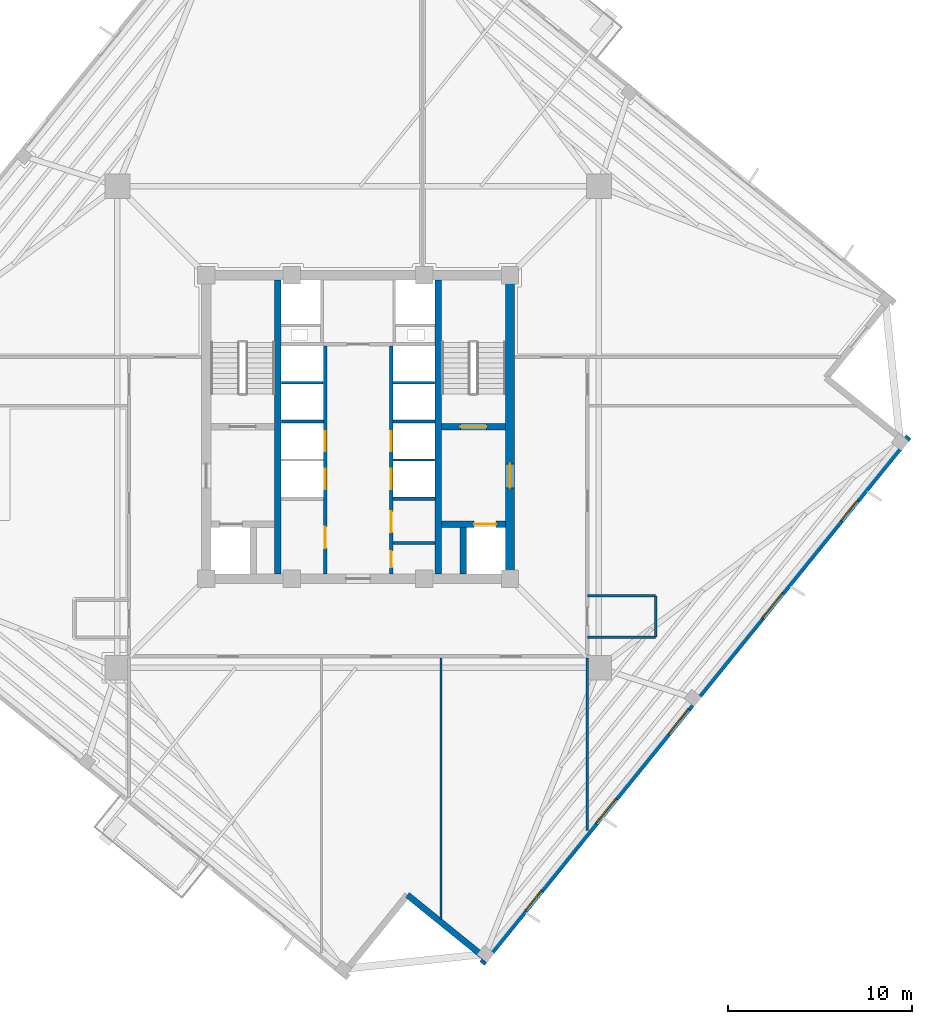
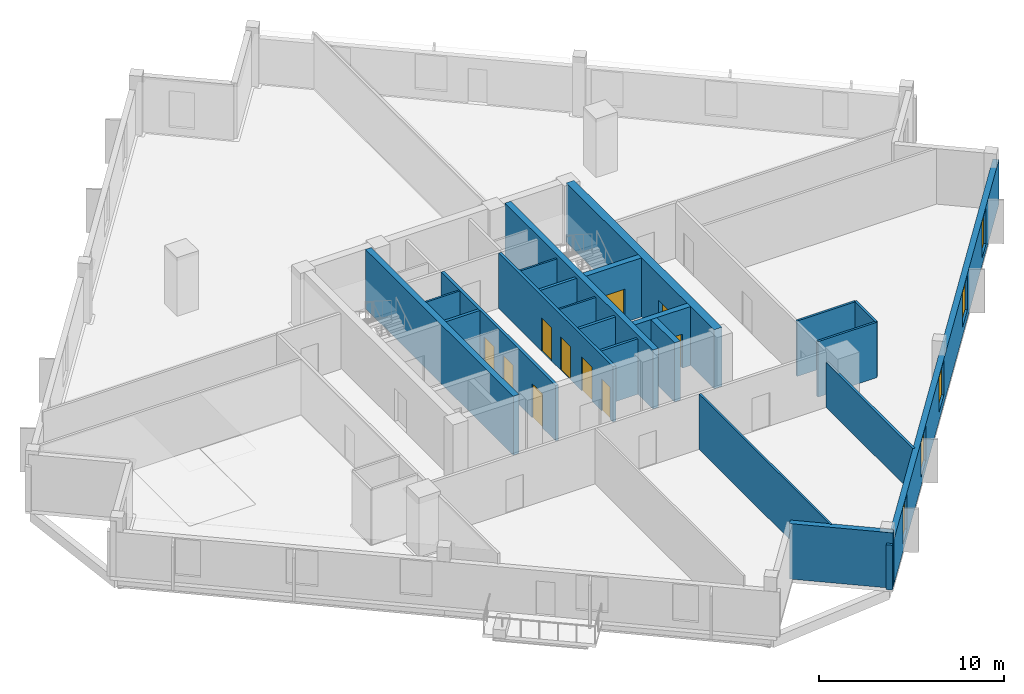
# One storey, part 4 of 10: 22 walls, 10 doors, 5 windows, 15 openings.
"""IFC4 building model written with IfcOpenShell, lengths in metres."""

import ifcopenshell
import ifcopenshell.guid

model = None  # the IFC model being written
_history = None  # IfcOwnerHistory: only IFC2X3 demands one
_inside = {}  # id of a spatial element -> (the spatial element, [elements in it])
_under = {}  # id of a project, library or spatial element -> (it, [spatial elements below it])
_declared = {}  # id of a project -> (the project, [libraries it declares])
_typed = {}  # id of a type object -> (the type object, [elements of that type])
_made_of = {}  # id of a material, layer set ... -> (it, [elements and type objects made of it])


def new_model(schema):
    """Start an empty IFC model of exactly this schema.

    Asked for "IFC4X3", IfcOpenShell would pick the latest addendum, in which some entities
    have other attributes; the version numbers below select the first issue.
    IFC2X3 requires an IfcOwnerHistory on every rooted entity: one is made here for all.
    """
    global model, _history
    if schema == "IFC4X3":
        model = ifcopenshell.file(schema_version=(4, 3, 0, 0))
    else:
        model = ifcopenshell.file(schema=schema)
    _inside.clear()
    _under.clear()
    _declared.clear()
    _typed.clear()
    _made_of.clear()
    _history = None
    if model.schema == "IFC2X3":
        org = make("IfcOrganization", Name="unknown")
        user = make(
            "IfcPersonAndOrganization",
            ThePerson=make("IfcPerson", FamilyName="unknown"),
            TheOrganization=org,
        )
        app = make(
            "IfcApplication",
            ApplicationDeveloper=org,
            Version="unknown",
            ApplicationFullName="unknown",
            ApplicationIdentifier="unknown",
        )
        _history = make(
            "IfcOwnerHistory",
            OwningUser=user,
            OwningApplication=app,
            ChangeAction="ADDED",
            CreationDate=0,
        )
    return model


def make(cls, **values):
    """One entity of the class cls with the attributes given. An attribute that is None is left unset."""
    return model.create_entity(
        cls, **{name: value for name, value in values.items() if value is not None}
    )


def rooted(cls, **values):
    """An entity with a GlobalId (a new one), such as an element, a storey or a relation."""
    return make(cls, GlobalId=ifcopenshell.guid.new(), OwnerHistory=_history, **values)


def si_unit(unit_type, name, prefix=None):
    """IfcSIUnit, for example si_unit("LENGTHUNIT", "METRE", prefix="MILLI")."""
    return make("IfcSIUnit", UnitType=unit_type, Prefix=prefix, Name=name)


def assignment(units):
    """IfcUnitAssignment: the units of a project."""
    return None if units is None else make("IfcUnitAssignment", Units=units)


def point(xyz):
    """IfcCartesianPoint."""
    return None if xyz is None else make("IfcCartesianPoint", Coordinates=xyz)


def direction(xyz):
    """IfcDirection."""
    return None if xyz is None else make("IfcDirection", DirectionRatios=xyz)


def frame(location, z_axis=None, x_axis=None):
    """IfcAxis2Placement3D, a coordinate frame: its origin and axes. An axis left out is left unset."""
    return make(
        "IfcAxis2Placement3D",
        Location=point(location),
        Axis=direction(z_axis),
        RefDirection=direction(x_axis),
    )


def frame_2d(location, x_axis=None):
    """IfcAxis2Placement2D, a coordinate frame in the plane: its origin and x axis."""
    return make(
        "IfcAxis2Placement2D", Location=point(location), RefDirection=direction(x_axis)
    )


def origin():
    """The frame at (0, 0, 0) with its axes left unset."""
    return frame((0.0, 0.0, 0.0))


def place(relative_to, where):
    """IfcLocalPlacement: puts the frame where relative to a parent placement (None: the world)."""
    return make(
        "IfcLocalPlacement", PlacementRelTo=relative_to, RelativePlacement=where
    )


def context(
    kind, dimensions, precision=None, world=None, true_north=None, identifier=None
):
    """IfcGeometricRepresentationContext, for example the 3D "Model" context."""
    return make(
        "IfcGeometricRepresentationContext",
        ContextIdentifier=identifier,
        ContextType=kind,
        CoordinateSpaceDimension=dimensions,
        Precision=precision,
        WorldCoordinateSystem=world,
        TrueNorth=true_north,
    )


def subcontext(parent, identifier, kind, view, scale=None):
    """IfcGeometricRepresentationSubContext, for example "Body" below "Model"."""
    return make(
        "IfcGeometricRepresentationSubContext",
        ContextIdentifier=identifier,
        ContextType=kind,
        ParentContext=parent,
        TargetScale=scale,
        TargetView=view,
    )


def project(units=None, contexts=None):
    """IfcProject with its units and contexts."""
    return rooted(
        "IfcProject",
        Name="project",
        RepresentationContexts=contexts,
        UnitsInContext=assignment(units),
    )


def spatial(cls, under=None, at=None, **own):
    """A site, building, storey or space (cls), placed at a placement, below another one or the project."""
    s = rooted(cls, ObjectPlacement=at, **own)
    if under is not None:
        _under.setdefault(under.id(), (under, []))[1].append(s)
    return s


def profile(cls, at=None, kind="AREA", **sizes):
    """A parametric profile (cls). Its sizes go by their IFC names, for example OverallWidth=200.0."""
    return make(cls, ProfileType=kind, Position=at, **sizes)


def rectangle(**sizes):
    """IfcRectangleProfileDef."""
    return profile("IfcRectangleProfileDef", **sizes)


def extrude(swept, where, along, depth):
    """IfcExtrudedAreaSolid: the profile swept, set in the frame where, extruded along a direction by depth."""
    return make(
        "IfcExtrudedAreaSolid",
        SweptArea=swept,
        Position=where,
        ExtrudedDirection=direction(along),
        Depth=depth,
    )


def shape(context_of_items, identifier, shape_type, items):
    """IfcShapeRepresentation: the items that make up one representation, for example the "Body"."""
    return make(
        "IfcShapeRepresentation",
        ContextOfItems=context_of_items,
        RepresentationIdentifier=identifier,
        RepresentationType=shape_type,
        Items=items,
    )


def source(mapping_origin, context_of_items, identifier, shape_type, items):
    """IfcRepresentationMap: a shape defined once, which mapped items show again and again."""
    return make(
        "IfcRepresentationMap",
        MappingOrigin=mapping_origin,
        MappedRepresentation=shape(context_of_items, identifier, shape_type, items),
    )


def transform(
    local_origin,
    x_axis=None,
    y_axis=None,
    z_axis=None,
    scale=None,
    scale2=None,
    scale3=None,
    uniform=True,
):
    """IfcCartesianTransformationOperator3D, or its non-uniform kind. x_axis, y_axis, z_axis: its Axis1, 2, 3."""
    if uniform:
        return make(
            "IfcCartesianTransformationOperator3D",
            Axis1=direction(x_axis),
            Axis2=direction(y_axis),
            LocalOrigin=point(local_origin),
            Scale=scale,
            Axis3=direction(z_axis),
        )
    return make(
        "IfcCartesianTransformationOperator3DnonUniform",
        Axis1=direction(x_axis),
        Axis2=direction(y_axis),
        LocalOrigin=point(local_origin),
        Scale=scale,
        Axis3=direction(z_axis),
        Scale2=scale2,
        Scale3=scale3,
    )


def mapped(mapping_source, mapping_target):
    """IfcMappedItem: shows the shape of a source again, moved by a transform."""
    return make(
        "IfcMappedItem", MappingSource=mapping_source, MappingTarget=mapping_target
    )


def material(Name=None, Category=None):
    """IfcMaterial."""
    return make("IfcMaterial", Name=Name, Category=Category)


def layer(
    of_material, thickness, ventilated=None, Name=None, Category=None, Priority=None
):
    """IfcMaterialLayer: one layer of a wall or slab, of a material (None: an air gap)."""
    return make(
        "IfcMaterialLayer",
        Material=of_material,
        LayerThickness=thickness,
        IsVentilated=ventilated,
        Name=Name,
        Category=Category,
        Priority=Priority,
    )


def layer_set(layers, Name=None):
    """IfcMaterialLayerSet."""
    return make("IfcMaterialLayerSet", MaterialLayers=layers, LayerSetName=Name)


def made_of(thing, what):
    """Note that an element or type object is made of a material, layer set ...; save() writes the relation."""
    if what is not None:
        _made_of.setdefault(what.id(), (what, []))[1].append(thing)
    return thing


def type_object(cls, material=None, **own):
    """A type object (cls), such as IfcWallType, which elements share."""
    return made_of(rooted(cls, **own), material)


def element(
    cls,
    number,
    at=None,
    inside=None,
    cuts=None,
    type_object=None,
    material=None,
    context=None,
    identifier="Body",
    shape_type=None,
    held_by="IfcProductDefinitionShape",
    body=None,
    shapes=None,
    **own,
):
    """One element of the class cls, such as IfcWall. Its Tag is "e" and its number.

    at: its placement. inside: the storey or other place that contains it. cuts: it is an
    opening in that element (IfcRelVoidsElement). A single representation is given by context,
    identifier, shape_type and body (its items); several are given by shapes. held_by: the class
    of the entity that holds the representations. save() writes the other relations.
    """
    e = rooted(cls, Tag="e%d" % number, ObjectPlacement=at, **own)
    if body is not None:
        shapes = [shape(context, identifier, shape_type, body)]
    if shapes is not None:
        e.Representation = make(held_by, Representations=shapes)
    if inside is not None:
        _inside.setdefault(inside.id(), (inside, []))[1].append(e)
    if cuts is not None:
        rooted(
            "IfcRelVoidsElement", RelatingBuildingElement=cuts, RelatedOpeningElement=e
        )
    if type_object is not None:
        _typed.setdefault(type_object.id(), (type_object, []))[1].append(e)
    return made_of(e, material)


def fill(opening, filler):
    """IfcRelFillsElement: the door or window that sits in an opening."""
    return rooted(
        "IfcRelFillsElement",
        RelatingOpeningElement=opening,
        RelatedBuildingElement=filler,
    )


def aggregate(whole, parts):
    """IfcRelAggregates: a whole, such as a stair, and the parts it consists of."""
    return rooted("IfcRelAggregates", RelatingObject=whole, RelatedObjects=parts)


def save(model, path):
    """Write the relations noted so far, then the file.

    IfcRelAggregates (storeys below a building ...), IfcRelContainedInSpatialStructure (elements
    in a storey), IfcRelDefinesByType, IfcRelAssociatesMaterial and IfcRelDeclares: one each for
    every whole, place, type object, material and project.
    """
    for whole, parts in _under.values():
        aggregate(whole, parts)
    for where, things in _inside.values():
        rooted(
            "IfcRelContainedInSpatialStructure",
            RelatedElements=things,
            RelatingStructure=where,
        )
    for kind, things in _typed.values():
        rooted("IfcRelDefinesByType", RelatedObjects=things, RelatingType=kind)
    for what, things in _made_of.values():
        rooted("IfcRelAssociatesMaterial", RelatedObjects=things, RelatingMaterial=what)
    for by, libraries in _declared.values():
        rooted("IfcRelDeclares", RelatingContext=by, RelatedDefinitions=libraries)
    model.write(path)


model = new_model("IFC4")

# Units and contexts
model_context = context("Model", 3, precision=1e-05, world=origin(), true_north=direction((0.0, 1.0)))
body_context = subcontext(model_context, "Body", "Model", "MODEL_VIEW")
ifc_project = project(units=[si_unit("LENGTHUNIT", "METRE"), si_unit("AREAUNIT", "SQUARE_METRE"), si_unit("VOLUMEUNIT", "CUBIC_METRE"), si_unit("PLANEANGLEUNIT", "RADIAN"), si_unit("MASSUNIT", "GRAM", prefix="KILO"), si_unit("THERMODYNAMICTEMPERATUREUNIT", "KELVIN")], contexts=[model_context])

# Site, building, storey
site_placement = place(None, origin())
site = spatial("IfcSite", under=ifc_project, at=site_placement, CompositionType="ELEMENT")
building_placement = place(site_placement, origin())
building = spatial("IfcBuilding", under=site, at=building_placement, Name="Kosmvard Interchange Tower", CompositionType="ELEMENT")
storey_placement = place(building_placement, frame((0.0, 0.0, 229.0)))
storey = spatial("IfcBuildingStorey", under=building, at=storey_placement, Name="L55", CompositionType="ELEMENT", Elevation=229.0)

# Walls
ifc_material_1 = material(Name="Acoustic gypsum partition system")
ifc_layer_1 = layer(ifc_material_1, 0.14990234375, Name="Acoustic gypsum partition system")
ifc_layer_set_1 = layer_set([ifc_layer_1], Name="Acoustic gypsum partition system")
wall_type_1 = type_object("IfcWallType", Name="Acoustic Suite & Meeting Partition 150", PredefinedType="PARTITIONING", material=ifc_layer_set_1)
wall_1_placement = place(storey_placement, frame((12.449951171875, -21.927734375, 0.0), z_axis=(0.0, 0.0, 1.0), x_axis=(0.0, 1.0, 0.0)))
element("IfcWall", 1, at=wall_1_placement, inside=storey, type_object=wall_type_1, Name="L55 Room Partition 09.1", PredefinedType="PARTITIONING", context=body_context, shape_type="SweptSolid", body=[
    extrude(rectangle(XDim=9.3828125, YDim=0.14990234375, at=frame_2d((4.69140625, 0.0))), origin(), (0.0, 0.0, 1.0), 2.9599609375),
])
ifc_material_2 = material(Name="Fire-rated gypsum partition system")
ifc_layer_2 = layer(ifc_material_2, 0.159912109375, Name="Fire-rated gypsum partition system")
ifc_layer_set_2 = layer_set([ifc_layer_2], Name="Fire-rated gypsum partition system")
wall_type_2 = type_object("IfcWallType", Name="Core Compartment & Shuttle Lobby Partition 160", PredefinedType="PARTITIONING", material=ifc_layer_set_2)
wall_2_placement = place(storey_placement, frame((1.889892578125, -6.300048828125, 0.0), z_axis=(0.0, 0.0, 1.0), x_axis=(1.0, 0.0, 0.0)))
element("IfcWall", 2, at=wall_2_placement, inside=storey, type_object=wall_type_2, Name="L55 Reclaimed Split E", PredefinedType="PARTITIONING", context=body_context, shape_type="SweptSolid", body=[
    extrude(rectangle(XDim=2.280029296875, YDim=0.159912109375, at=frame_2d((1.14013671875, 0.0))), origin(), (0.0, 0.0, 1.0), 3.659912109375),
])

# Wall, openings, doors
ifc_layer_3 = layer(ifc_material_2, 0.179931640625, Name="Fire-rated gypsum partition system")
ifc_layer_set_3 = layer_set([ifc_layer_3], Name="Fire-rated gypsum partition system")
wall_type_3 = type_object("IfcWallType", Name="Corridor & Hotel Compartment Partition 180", PredefinedType="PARTITIONING", material=ifc_layer_set_3)
wall_3_placement = place(storey_placement, frame((-1.7900390625, -7.97998046875, 0.0), z_axis=(0.0, 0.0, 1.0), x_axis=(0.0, 1.0, 0.0)))
wall_3 = element("IfcWall", 3, at=wall_3_placement, inside=storey, type_object=wall_type_3, Name="L55 West Lift Bank Front Wall", PredefinedType="PARTITIONING", context=body_context, shape_type="SweptSolid", body=[
    extrude(rectangle(XDim=12.3798828125, YDim=0.179931640625, at=frame_2d((6.18994140625, 0.0))), origin(), (0.0, 0.0, 1.0), 3.659912109375),
])
opening_1_placement = place(wall_3_placement, frame((4.60009765625, 0.0, 0.0)))
opening_1 = element("IfcOpeningElement", 4, at=opening_1_placement, cuts=wall_3, Name="Opening LD-PL-M1-L55", PredefinedType="OPENING", context=body_context, shape_type="SweptSolid", body=[
    extrude(rectangle(XDim=1.10009765625, YDim=2.199951171875, at=frame_2d((0.550048828125, 1.10009765625))), frame((0.0, 0.10009765625, 0.0), z_axis=(0.0, -1.0, 0.0), x_axis=(1.0, 0.0, 0.0)), (0.0, 0.0, 1.0), 0.199951171875),
])
opening_2_placement = place(wall_3_placement, frame((6.659912109375, 0.0, 0.0)))
opening_2 = element("IfcOpeningElement", 5, at=opening_2_placement, cuts=wall_3, Name="Opening LD-PL-M2-L55", PredefinedType="OPENING", context=body_context, shape_type="SweptSolid", body=[
    extrude(rectangle(XDim=1.10009765625, YDim=2.199951171875, at=frame_2d((0.550048828125, 1.10009765625))), frame((0.0, 0.10009765625, 0.0), z_axis=(0.0, -1.0, 0.0), x_axis=(1.0, 0.0, 0.0)), (0.0, 0.0, 1.0), 0.199951171875),
])
opening_3_placement = place(wall_3_placement, frame((1.39990234375, 0.0, 0.0)))
opening_3 = element("IfcOpeningElement", 6, at=opening_3_placement, cuts=wall_3, Name="Opening L55-CD1", PredefinedType="OPENING", context=body_context, shape_type="SweptSolid", body=[
    extrude(rectangle(XDim=1.14990234375, YDim=2.25, at=frame_2d((0.574951171875, 1.125))), frame((0.0, 0.10009765625, 0.0), z_axis=(0.0, -1.0, 0.0), x_axis=(1.0, 0.0, 0.0)), (0.0, 0.0, 1.0), 0.199951171875),
])
ifc_material_3 = material(Name="Painted fire-rated steel leaf", Category="steel")
door_type_1 = type_object("IfcDoorType", Name="Plant & Riser Fire Door 1150x2250 EI60", OperationType="NOTDEFINED", PredefinedType="DOOR", material=ifc_material_3)
shared_shape_1 = source(origin(), body_context, "Body", "SweptSolid", [
    extrude(rectangle(XDim=1.14990234375, YDim=2.25, at=frame_2d((0.574951171875, 1.125))), frame((0.0, 0.02490234375, 0.0), z_axis=(0.0, -1.0, 0.0), x_axis=(1.0, 0.0, 0.0)), (0.0, 0.0, 1.0), 0.050048828125),
])
door_1_placement = place(opening_3_placement, origin())
door_1 = element("IfcDoor", 7, at=door_1_placement, inside=storey, type_object=door_type_1, Name="L55 Core Server Door", OperationType="SINGLE_SWING_LEFT", OverallHeight=2.25, OverallWidth=1.14990234375, PredefinedType="DOOR", context=body_context, shape_type="MappedRepresentation", body=[
    mapped(shared_shape_1, transform((0.0, 0.0, 0.0), scale=1.0)),
])
fill(opening_3, door_1)
ifc_material_4 = material(Name="Brushed stainless steel sliding leaf", Category="steel")
door_type_2 = type_object("IfcDoorType", Name="Passenger Lift Sliding Landing Door 1100x2200 EI60", OperationType="DOUBLE_DOOR_SLIDING", PredefinedType="DOOR", material=ifc_material_4)
shared_shape_2 = source(origin(), body_context, "Body", "SweptSolid", [
    extrude(rectangle(XDim=1.10009765625, YDim=2.199951171875, at=frame_2d((0.550048828125, 1.10009765625))), frame((0.0, 0.02490234375, 0.0), z_axis=(0.0, -1.0, 0.0), x_axis=(1.0, 0.0, 0.0)), (0.0, 0.0, 1.0), 0.050048828125),
])
door_2_placement = place(opening_1_placement, frame((1.10009765625, 0.0, 0.0), z_axis=(0.0, 0.0, 1.0), x_axis=(-1.0, 0.0, 0.0)))
door_2 = element("IfcDoor", 8, at=door_2_placement, inside=storey, type_object=door_type_2, Name="Lift PL-M1 Landing Door L55", OperationType="DOUBLE_DOOR_SLIDING", OverallHeight=2.199951171875, OverallWidth=1.10009765625, PredefinedType="DOOR", context=body_context, shape_type="MappedRepresentation", body=[
    mapped(shared_shape_2, transform((0.0, 0.0, 0.0), scale=1.0)),
])
fill(opening_1, door_2)
door_3_placement = place(opening_2_placement, frame((1.10009765625, 0.0, 0.0), z_axis=(0.0, 0.0, 1.0), x_axis=(-1.0, 0.0, 0.0)))
door_3 = element("IfcDoor", 9, at=door_3_placement, inside=storey, type_object=door_type_2, Name="Lift PL-M2 Landing Door L55", OperationType="DOUBLE_DOOR_SLIDING", OverallHeight=2.199951171875, OverallWidth=1.10009765625, PredefinedType="DOOR", context=body_context, shape_type="MappedRepresentation", body=[
    mapped(shared_shape_2, transform((0.0, 0.0, 0.0), scale=1.0)),
])
fill(opening_2, door_3)

wall_4_placement = place(storey_placement, frame((1.7900390625, -7.97998046875, 0.0), z_axis=(0.0, 0.0, 1.0), x_axis=(0.0, 1.0, 0.0)))
wall_4 = element("IfcWall", 10, at=wall_4_placement, inside=storey, type_object=wall_type_3, Name="L55 East Lift Bank Front Wall", PredefinedType="PARTITIONING", context=body_context, shape_type="SweptSolid", body=[
    extrude(rectangle(XDim=12.3798828125, YDim=0.179931640625, at=frame_2d((6.18994140625, 0.0))), origin(), (0.0, 0.0, 1.0), 3.659912109375),
])
opening_4_placement = place(wall_4_placement, frame((4.60009765625, 0.0, 0.0)))
opening_4 = element("IfcOpeningElement", 11, at=opening_4_placement, cuts=wall_4, Name="Opening LD-PL-M3-L55", PredefinedType="OPENING", context=body_context, shape_type="SweptSolid", body=[
    extrude(rectangle(XDim=1.10009765625, YDim=2.199951171875, at=frame_2d((0.550048828125, 1.10009765625))), frame((0.0, 0.10009765625, 0.0), z_axis=(0.0, -1.0, 0.0), x_axis=(1.0, 0.0, 0.0)), (0.0, 0.0, 1.0), 0.199951171875),
])
opening_5_placement = place(wall_4_placement, frame((6.659912109375, 0.0, 0.0)))
opening_5 = element("IfcOpeningElement", 12, at=opening_5_placement, cuts=wall_4, Name="Opening LD-PL-M4-L55", PredefinedType="OPENING", context=body_context, shape_type="SweptSolid", body=[
    extrude(rectangle(XDim=1.10009765625, YDim=2.199951171875, at=frame_2d((0.550048828125, 1.10009765625))), frame((0.0, 0.10009765625, 0.0), z_axis=(0.0, -1.0, 0.0), x_axis=(1.0, 0.0, 0.0)), (0.0, 0.0, 1.0), 0.199951171875),
])
opening_6_placement = place(wall_4_placement, frame((0.35009765625, 0.0, 0.0)))
opening_6 = element("IfcOpeningElement", 13, at=opening_6_placement, cuts=wall_4, Name="Opening L55-CD2", PredefinedType="OPENING", context=body_context, shape_type="SweptSolid", body=[
    extrude(rectangle(XDim=0.8798828125, YDim=2.10009765625, at=frame_2d((0.43994140625, 1.050048828125))), frame((0.0, 0.10009765625, 0.0), z_axis=(0.0, -1.0, 0.0), x_axis=(1.0, 0.0, 0.0)), (0.0, 0.0, 1.0), 0.199951171875),
])
opening_7_placement = place(wall_4_placement, frame((2.25, 0.0, 0.0)))
opening_7 = element("IfcOpeningElement", 14, at=opening_7_placement, cuts=wall_4, Name="Opening L55-CD3", PredefinedType="OPENING", context=body_context, shape_type="SweptSolid", body=[
    extrude(rectangle(XDim=1.14990234375, YDim=2.25, at=frame_2d((0.574951171875, 1.125))), frame((0.0, 0.10009765625, 0.0), z_axis=(0.0, -1.0, 0.0), x_axis=(1.0, 0.0, 0.0)), (0.0, 0.0, 1.0), 0.199951171875),
])
door_4_placement = place(opening_7_placement, frame((1.14990234375, 0.0, 0.0), z_axis=(0.0, 0.0, 1.0), x_axis=(-1.0, 0.0, 0.0)))
door_4 = element("IfcDoor", 15, at=door_4_placement, inside=storey, type_object=door_type_1, Name="L55 Core Pantry Door", OperationType="SINGLE_SWING_LEFT", OverallHeight=2.25, OverallWidth=1.14990234375, PredefinedType="DOOR", context=body_context, shape_type="MappedRepresentation", body=[
    mapped(shared_shape_1, transform((0.0, 0.0, 0.0), scale=1.0)),
])
fill(opening_7, door_4)
door_5_placement = place(opening_4_placement, origin())
door_5 = element("IfcDoor", 16, at=door_5_placement, inside=storey, type_object=door_type_2, Name="Lift PL-M3 Landing Door L55", OperationType="DOUBLE_DOOR_SLIDING", OverallHeight=2.199951171875, OverallWidth=1.10009765625, PredefinedType="DOOR", context=body_context, shape_type="MappedRepresentation", body=[
    mapped(shared_shape_2, transform((0.0, 0.0, 0.0), scale=1.0)),
])
fill(opening_4, door_5)
door_6_placement = place(opening_5_placement, origin())
door_6 = element("IfcDoor", 17, at=door_6_placement, inside=storey, type_object=door_type_2, Name="Lift PL-M4 Landing Door L55", OperationType="DOUBLE_DOOR_SLIDING", OverallHeight=2.199951171875, OverallWidth=1.10009765625, PredefinedType="DOOR", context=body_context, shape_type="MappedRepresentation", body=[
    mapped(shared_shape_2, transform((0.0, 0.0, 0.0), scale=1.0)),
])
fill(opening_5, door_6)
ifc_material_5 = material(Name="Painted fire-rated timber leaf", Category="wood")
door_type_3 = type_object("IfcDoorType", Name="Core Cupboard Fire Door 880x2100 EI30", OperationType="NOTDEFINED", PredefinedType="DOOR", material=ifc_material_5)
shared_shape_3 = source(origin(), body_context, "Body", "SweptSolid", [
    extrude(rectangle(XDim=0.8798828125, YDim=2.10009765625, at=frame_2d((0.43994140625, 1.050048828125))), frame((0.0, 0.02490234375, 0.0), z_axis=(0.0, -1.0, 0.0), x_axis=(1.0, 0.0, 0.0)), (0.0, 0.0, 1.0), 0.050048828125),
])
door_7_placement = place(opening_6_placement, frame((0.8798828125, 0.0, 0.0), z_axis=(0.0, 0.0, 1.0), x_axis=(-1.0, 0.0, 0.0)))
door_7 = element("IfcDoor", 18, at=door_7_placement, inside=storey, type_object=door_type_3, Name="L55 Core Cleaner Door", OperationType="SINGLE_SWING_RIGHT", OverallHeight=2.10009765625, OverallWidth=0.8798828125, PredefinedType="DOOR", context=body_context, shape_type="MappedRepresentation", body=[
    mapped(shared_shape_3, transform((0.0, 0.0, 0.0), scale=1.0)),
])
fill(opening_6, door_7)

# Wall, openings, windows
ifc_material_6 = material(Name="Precast concrete C45/55", Category="concrete")
ifc_layer_4 = layer(ifc_material_6, 0.340087890625, Name="Precast concrete C45/55")
ifc_layer_set_4 = layer_set([ifc_layer_4], Name="Precast concrete C45/55")
wall_type_4 = type_object("IfcWallType", Name="Mid Tower Precast Pier Wall 340 C45/55", PredefinedType="STANDARD", material=ifc_layer_set_4)
wall_5_placement = place(storey_placement, frame((6.73291015625, -29.154296875, 0.0), z_axis=(0.0, 0.0, 1.0), x_axis=(0.629325378072, 0.77714192302, 0.0)))
wall_5 = element("IfcWall", 19, at=wall_5_placement, inside=storey, type_object=wall_type_4, Name="L55 Precast Facade Wall F-S", PredefinedType="STANDARD", context=body_context, shape_type="SweptSolid", body=[
    extrude(rectangle(XDim=36.840087890625, YDim=0.340087890625, at=frame_2d((18.419921875, 0.0))), origin(), (0.0, 0.0, 1.0), 2.9599609375),
])
opening_8_placement = place(wall_5_placement, frame((3.720703125, 0.0, 0.47998046875)))
opening_8 = element("IfcOpeningElement", 20, at=opening_8_placement, cuts=wall_5, Name="Opening L55-W01", PredefinedType="OPENING", context=body_context, shape_type="SweptSolid", body=[
    extrude(rectangle(XDim=1.39990234375, YDim=2.39990234375, at=frame_2d((0.699951171875, 1.199951171875))), frame((0.0, 0.18017578125, 0.0), z_axis=(0.0, -1.0, 0.0), x_axis=(1.0, 0.0, 0.0)), (0.0, 0.0, 1.0), 0.360107421875),
])
opening_9_placement = place(wall_5_placement, frame((9.80859375, 0.0, 0.580078125)))
opening_9 = element("IfcOpeningElement", 21, at=opening_9_placement, cuts=wall_5, Name="Opening L55-W02", PredefinedType="OPENING", context=body_context, shape_type="SweptSolid", body=[
    extrude(rectangle(XDim=1.75, YDim=2.300048828125, at=frame_2d((0.875, 1.14990234375))), frame((0.0, 0.18017578125, 0.0), z_axis=(0.0, -1.0, 0.0), x_axis=(1.0, 0.0, 0.0)), (0.0, 0.0, 1.0), 0.360107421875),
])
opening_10_placement = place(wall_5_placement, frame((16.05810546875, 0.0, 0.580078125)))
opening_10 = element("IfcOpeningElement", 22, at=opening_10_placement, cuts=wall_5, Name="Opening L55-W03", PredefinedType="OPENING", context=body_context, shape_type="SweptSolid", body=[
    extrude(rectangle(XDim=1.75, YDim=2.300048828125, at=frame_2d((0.875, 1.14990234375))), frame((0.0, 0.18017578125, 0.0), z_axis=(0.0, -1.0, 0.0), x_axis=(1.0, 0.0, 0.0)), (0.0, 0.0, 1.0), 0.360107421875),
])
opening_11_placement = place(wall_5_placement, frame((24.17626953125, 0.0, 0.580078125)))
opening_11 = element("IfcOpeningElement", 23, at=opening_11_placement, cuts=wall_5, Name="Opening L55-W04", PredefinedType="OPENING", context=body_context, shape_type="SweptSolid", body=[
    extrude(rectangle(XDim=1.75, YDim=2.300048828125, at=frame_2d((0.875, 1.14990234375))), frame((0.0, 0.18017578125, 0.0), z_axis=(0.0, -1.0, 0.0), x_axis=(1.0, 0.0, 0.0)), (0.0, 0.0, 1.0), 0.360107421875),
])
opening_12_placement = place(wall_5_placement, frame((30.982421875, 0.0, 0.47998046875)))
opening_12 = element("IfcOpeningElement", 24, at=opening_12_placement, cuts=wall_5, Name="Opening L55-W05", PredefinedType="OPENING", context=body_context, shape_type="SweptSolid", body=[
    extrude(rectangle(XDim=1.39990234375, YDim=2.39990234375, at=frame_2d((0.699951171875, 1.199951171875))), frame((0.0, 0.18017578125, 0.0), z_axis=(0.0, -1.0, 0.0), x_axis=(1.0, 0.0, 0.0)), (0.0, 0.0, 1.0), 0.360107421875),
])
ifc_material_7 = material(Name="Low-E solar-control double glazing", Category="glass")
window_type_1 = type_object("IfcWindowType", Name="Notched Corner Feature Window 1400x2400", PartitioningType="SINGLE_PANEL", PredefinedType="WINDOW", material=ifc_material_7)
shared_shape_4 = source(origin(), body_context, "Body", "SweptSolid", [
    extrude(rectangle(XDim=1.39990234375, YDim=2.39990234375, at=frame_2d((0.699951171875, 1.199951171875))), frame((0.0, 0.030029296875, 0.0), z_axis=(0.0, -1.0, 0.0), x_axis=(1.0, 0.0, 0.0)), (0.0, 0.0, 1.0), 0.06005859375),
])
window_1_placement = place(opening_8_placement, origin())
window_1 = element("IfcWindow", 25, at=window_1_placement, inside=storey, type_object=window_type_1, Name="L55 Facade Punched Window 01", OverallHeight=2.39990234375, OverallWidth=1.39990234375, PartitioningType="SINGLE_PANEL", PredefinedType="WINDOW", context=body_context, shape_type="MappedRepresentation", body=[
    mapped(shared_shape_4, transform((0.0, 0.0, 0.0), scale=1.0)),
])
fill(opening_8, window_1)
window_2_placement = place(opening_12_placement, origin())
window_2 = element("IfcWindow", 26, at=window_2_placement, inside=storey, type_object=window_type_1, Name="L55 Facade Punched Window 05", OverallHeight=2.39990234375, OverallWidth=1.39990234375, PartitioningType="SINGLE_PANEL", PredefinedType="WINDOW", context=body_context, shape_type="MappedRepresentation", body=[
    mapped(shared_shape_4, transform((0.0, 0.0, 0.0), scale=1.0)),
])
fill(opening_12, window_2)
window_type_2 = type_object("IfcWindowType", Name="Zone 4 Suite Punched Window 1750x2300", PartitioningType="SINGLE_PANEL", PredefinedType="WINDOW", material=ifc_material_7)
shared_shape_5 = source(origin(), body_context, "Body", "SweptSolid", [
    extrude(rectangle(XDim=1.75, YDim=2.300048828125, at=frame_2d((0.875, 1.14990234375))), frame((0.0, 0.030029296875, 0.0), z_axis=(0.0, -1.0, 0.0), x_axis=(1.0, 0.0, 0.0)), (0.0, 0.0, 1.0), 0.06005859375),
])
window_3_placement = place(opening_9_placement, origin())
window_3 = element("IfcWindow", 27, at=window_3_placement, inside=storey, type_object=window_type_2, Name="L55 Facade Punched Window 02", OverallHeight=2.300048828125, OverallWidth=1.75, PartitioningType="SINGLE_PANEL", PredefinedType="WINDOW", context=body_context, shape_type="MappedRepresentation", body=[
    mapped(shared_shape_5, transform((0.0, 0.0, 0.0), scale=1.0)),
])
fill(opening_9, window_3)
window_4_placement = place(opening_10_placement, origin())
window_4 = element("IfcWindow", 28, at=window_4_placement, inside=storey, type_object=window_type_2, Name="L55 Facade Punched Window 03", OverallHeight=2.300048828125, OverallWidth=1.75, PartitioningType="SINGLE_PANEL", PredefinedType="WINDOW", context=body_context, shape_type="MappedRepresentation", body=[
    mapped(shared_shape_5, transform((0.0, 0.0, 0.0), scale=1.0)),
])
fill(opening_10, window_4)
window_5_placement = place(opening_11_placement, origin())
window_5 = element("IfcWindow", 29, at=window_5_placement, inside=storey, type_object=window_type_2, Name="L55 Facade Punched Window 04", OverallHeight=2.300048828125, OverallWidth=1.75, PartitioningType="SINGLE_PANEL", PredefinedType="WINDOW", context=body_context, shape_type="MappedRepresentation", body=[
    mapped(shared_shape_5, transform((0.0, 0.0, 0.0), scale=1.0)),
])
fill(opening_11, window_5)

# Walls
wall_6_placement = place(storey_placement, frame((2.672607421875, -25.428955078125, 0.0), z_axis=(0.0, 0.0, 1.0), x_axis=(0.777162640055, -0.629299794138, 0.0)))
element("IfcWall", 30, at=wall_6_placement, inside=storey, type_object=wall_type_4, Name="L55 Precast Facade Wall N-SW2", PredefinedType="STANDARD", context=body_context, shape_type="SweptSolid", body=[
    extrude(rectangle(XDim=5.669921875, YDim=0.340087890625, at=frame_2d((2.8349609375, 0.0))), origin(), (0.0, 0.0, 1.0), 3.659912109375),
])
ifc_material_8 = material(Name="Gypsum board partition system")
ifc_layer_5 = layer(ifc_material_8, 0.1201171875, Name="Gypsum board partition system")
ifc_layer_set_5 = layer_set([ifc_layer_5], Name="Gypsum board partition system")
wall_type_5 = type_object("IfcWallType", Name="Office Cellular Partition 120", PredefinedType="PARTITIONING", material=ifc_layer_set_5)
wall_7_placement = place(storey_placement, frame((4.5, -26.7734375, 0.0), z_axis=(0.0, 0.0, 1.0), x_axis=(0.0, 1.0, 0.0)))
element("IfcWall", 31, at=wall_7_placement, inside=storey, type_object=wall_type_5, Name="L55 Room Partition 08.1", PredefinedType="PARTITIONING", context=body_context, shape_type="SweptSolid", body=[
    extrude(rectangle(XDim=14.228515625, YDim=0.1201171875, at=frame_2d((7.1142578125, 0.0))), origin(), (0.0, 0.0, 1.0), 3.659912109375),
])
ifc_material_9 = material(Name="Concrete blockwork masonry", Category="masonry")
ifc_layer_6 = layer(ifc_material_9, 0.179931640625, Name="Concrete blockwork masonry")
ifc_layer_set_6 = layer_set([ifc_layer_6], Name="Concrete blockwork masonry")
wall_type_6 = type_object("IfcWallType", Name="Riser & Lift Bank Divider Wall 180", PredefinedType="PARTITIONING", material=ifc_layer_set_6)
for number, where, z_axis, x_axis, name in (
    (32, (1.889892578125, -3.89990234375, 0.0), (0.0, 0.0, 1.0), (1.0, 0.0, 0.0), "L55 East Bank Divider BD1"),
    (33, (-4.169921875, 0.300048828125, 0.0), (0.0, 0.0, 1.0), (1.0, 0.0, 0.0), "L55 West Bank Divider BD2"),
    (34, (1.889892578125, 0.300048828125, 0.0), (0.0, 0.0, 1.0), (1.0, 0.0, 0.0), "L55 East Bank Divider BD2"),
):
    element("IfcWall", number, at=place(storey_placement, frame(where, z_axis=z_axis, x_axis=x_axis)), inside=storey, type_object=wall_type_6, Name=name, PredefinedType="PARTITIONING", context=body_context, shape_type="SweptSolid", body=[
        extrude(rectangle(XDim=2.280029296875, YDim=0.179931640625, at=frame_2d((1.14013671875, 0.0))), origin(), (0.0, 0.0, 1.0), 3.659912109375),
    ])
ifc_material_10 = material(Name="Fire-rated gypsum shaftwall system")
ifc_layer_7 = layer(ifc_material_10, 0.1201171875, Name="Fire-rated gypsum shaftwall system")
ifc_layer_set_7 = layer_set([ifc_layer_7], Name="Fire-rated gypsum shaftwall system")
wall_type_7 = type_object("IfcWallType", Name="Shaft & Riser Fire Partition 120 EI60", PredefinedType="PARTITIONING", material=ifc_layer_set_7)
for number, where, z_axis, x_axis, name in (
    (35, (1.89990234375, -1.800048828125, 0.0), (0.0, 0.0, 1.0), (1.0, 0.0, 0.0), "L55 Shaft Divider PL-M3"),
    (36, (-4.159912109375, 2.39990234375, 0.0), (0.0, 0.0, 1.0), (1.0, 0.0, 0.0), "L55 Shaft Divider PL-H1"),
    (37, (1.89990234375, 2.39990234375, 0.0), (0.0, 0.0, 1.0), (1.0, 0.0, 0.0), "L55 Shaft Divider PL-H3"),
):
    element("IfcWall", number, at=place(storey_placement, frame(where, z_axis=z_axis, x_axis=x_axis)), inside=storey, type_object=wall_type_7, Name=name, PredefinedType="PARTITIONING", context=body_context, shape_type="SweptSolid", body=[
        extrude(rectangle(XDim=2.260009765625, YDim=0.1201171875, at=frame_2d((1.1298828125, 0.0))), origin(), (0.0, 0.0, 1.0), 3.659912109375),
    ])
ifc_material_11 = material(Name="Concrete C60/75", Category="concrete")
ifc_layer_8 = layer(ifc_material_11, 0.360107421875, Name="Concrete C60/75")
ifc_layer_set_8 = layer_set([ifc_layer_8], Name="Concrete C60/75")
wall_type_8 = type_object("IfcWallType", Name="Stair & Lift Shaft Shear Wall 360 C60/75", PredefinedType="SHEAR", material=ifc_layer_set_8)
for number, where, z_axis, x_axis, name in (
    (38, (-4.360107421875, -8.0, 0.0), (0.0, 0.0, 1.0), (0.0, 1.0, 0.0), "L55 Shaft Shear Wall SW-W"),
    (39, (4.360107421875, -8.0, 0.0), (0.0, 0.0, 1.0), (0.0, 1.0, 0.0), "L55 Shaft Shear Wall SW-E"),
):
    element("IfcWall", number, at=place(storey_placement, frame(where, z_axis=z_axis, x_axis=x_axis)), inside=storey, type_object=wall_type_8, Name=name, PredefinedType="SHEAR", context=body_context, shape_type="SweptSolid", body=[
        extrude(rectangle(XDim=16.0, YDim=0.360107421875, at=frame_2d((8.0, 0.0))), origin(), (0.0, 0.0, 1.0), 3.89990234375),
    ])

# Wall, opening, door
wall_8_placement = place(storey_placement, frame((4.5400390625, 0.02001953125, 0.0), z_axis=(0.0, 0.0, 1.0), x_axis=(1.0, 0.0, 0.0)))
wall_8 = element("IfcWall", 40, at=wall_8_placement, inside=storey, type_object=wall_type_8, Name="L55 Shaft Shear Wall SW-ST2", PredefinedType="SHEAR", context=body_context, shape_type="SweptSolid", body=[
    extrude(rectangle(XDim=3.4599609375, YDim=0.360107421875, at=frame_2d((1.72998046875, 0.0))), origin(), (0.0, 0.0, 1.0), 3.89990234375),
])
opening_13_placement = place(wall_8_placement, frame((1.030029296875, 0.0, 0.0)))
opening_13 = element("IfcOpeningElement", 41, at=opening_13_placement, cuts=wall_8, Name="Opening L55-SD2", PredefinedType="OPENING", context=body_context, shape_type="SweptSolid", body=[
    extrude(rectangle(XDim=1.39990234375, YDim=2.199951171875, at=frame_2d((0.699951171875, 1.10009765625))), frame((0.0, 0.18994140625, 0.0), z_axis=(0.0, -1.0, 0.0), x_axis=(1.0, 0.0, 0.0)), (0.0, 0.0, 1.0), 0.380126953125),
])
door_type_4 = type_object("IfcDoorType", Name="Protected Stair Door 1400x2200 FD60S", OperationType="NOTDEFINED", PredefinedType="DOOR", material=ifc_material_3)
shared_shape_6 = source(origin(), body_context, "Body", "SweptSolid", [
    extrude(rectangle(XDim=1.39990234375, YDim=2.199951171875, at=frame_2d((0.699951171875, 1.10009765625))), frame((0.0, 0.02490234375, 0.0), z_axis=(0.0, -1.0, 0.0), x_axis=(1.0, 0.0, 0.0)), (0.0, 0.0, 1.0), 0.050048828125),
])
door_8_placement = place(opening_13_placement, origin())
door_8 = element("IfcDoor", 42, at=door_8_placement, inside=storey, type_object=door_type_4, Name="L55 Stair ST-2 Enclosure Door", OperationType="SINGLE_SWING_RIGHT", OverallHeight=2.199951171875, OverallWidth=1.39990234375, PredefinedType="DOOR", context=body_context, shape_type="MappedRepresentation", body=[
    mapped(shared_shape_6, transform((0.0, 0.0, 0.0), scale=1.0)),
])
fill(opening_13, door_8)

wall_9_placement = place(storey_placement, frame((4.5400390625, -5.280029296875, 0.0), z_axis=(0.0, 0.0, 1.0), x_axis=(1.0, 0.0, 0.0)))
wall_9 = element("IfcWall", 43, at=wall_9_placement, inside=storey, type_object=wall_type_8, Name="L55 Shaft Shear Wall SW-FF2", PredefinedType="SHEAR", context=body_context, shape_type="SweptSolid", body=[
    extrude(rectangle(XDim=3.4599609375, YDim=0.360107421875, at=frame_2d((1.72998046875, 0.0))), origin(), (0.0, 0.0, 1.0), 3.89990234375),
])
opening_14_placement = place(wall_9_placement, frame((1.760009765625, 0.0, 0.0)))
opening_14 = element("IfcOpeningElement", 44, at=opening_14_placement, cuts=wall_9, Name="Opening LD-FF-2-L55", PredefinedType="OPENING", context=body_context, shape_type="SweptSolid", body=[
    extrude(rectangle(XDim=1.199951171875, YDim=2.25, at=frame_2d((0.60009765625, 1.125))), frame((0.0, 0.18994140625, 0.0), z_axis=(0.0, -1.0, 0.0), x_axis=(1.0, 0.0, 0.0)), (0.0, 0.0, 1.0), 0.380126953125),
])
door_type_5 = type_object("IfcDoorType", Name="Firefighting Lift Sliding Landing Door 1200x2250 EI120", OperationType="DOUBLE_DOOR_SLIDING", PredefinedType="DOOR", material=ifc_material_4)
shared_shape_7 = source(origin(), body_context, "Body", "SweptSolid", [
    extrude(rectangle(XDim=1.199951171875, YDim=2.25, at=frame_2d((0.60009765625, 1.125))), frame((0.0, 0.02490234375, 0.0), z_axis=(0.0, -1.0, 0.0), x_axis=(1.0, 0.0, 0.0)), (0.0, 0.0, 1.0), 0.050048828125),
])
door_9_placement = place(opening_14_placement, origin())
door_9 = element("IfcDoor", 45, at=door_9_placement, inside=storey, type_object=door_type_5, Name="Lift FF-2 Landing Door L55", OperationType="DOUBLE_DOOR_SLIDING", OverallHeight=2.25, OverallWidth=1.199951171875, PredefinedType="DOOR", context=body_context, shape_type="MappedRepresentation", body=[
    mapped(shared_shape_7, transform((0.0, 0.0, 0.0), scale=1.0)),
])
fill(opening_14, door_9)

# Wall
wall_10_placement = place(storey_placement, frame((5.7099609375, -8.0, 0.0), z_axis=(0.0, 0.0, 1.0), x_axis=(0.0, 1.0, 0.0)))
element("IfcWall", 46, at=wall_10_placement, inside=storey, type_object=wall_type_8, Name="L55 Shaft Shear Wall SW-SM2", PredefinedType="SHEAR", context=body_context, shape_type="SweptSolid", body=[
    extrude(rectangle(XDim=2.5400390625, YDim=0.360107421875, at=frame_2d((1.27001953125, 0.0))), origin(), (0.0, 0.0, 1.0), 3.89990234375),
])

# Wall, opening, door
ifc_layer_9 = layer(ifc_material_11, 0.5, Name="Concrete C60/75")
ifc_layer_set_9 = layer_set([ifc_layer_9], Name="Concrete C60/75")
wall_type_9 = type_object("IfcWallType", Name="Upper Core Shear Wall 500 C60/75", PredefinedType="SHEAR", material=ifc_layer_set_9)
wall_11_placement = place(storey_placement, frame((8.25, -8.0, 0.0), z_axis=(0.0, 0.0, 1.0), x_axis=(0.0, 1.0, 0.0)))
wall_11 = element("IfcWall", 47, at=wall_11_placement, inside=storey, type_object=wall_type_9, Name="L55 Core Shear Wall CW-E", PredefinedType="SHEAR", context=body_context, shape_type="SweptSolid", body=[
    extrude(rectangle(XDim=16.0, YDim=0.5, at=frame_2d((8.0, 0.0))), origin(), (0.0, 0.0, 1.0), 3.89990234375),
])
opening_15_placement = place(wall_11_placement, frame((4.68994140625, 0.0, 0.0)))
opening_15 = element("IfcOpeningElement", 48, at=opening_15_placement, cuts=wall_11, Name="Opening L55-FD2", PredefinedType="OPENING", context=body_context, shape_type="SweptSolid", body=[
    extrude(rectangle(XDim=1.300048828125, YDim=2.199951171875, at=frame_2d((0.64990234375, 1.10009765625))), frame((0.0, 0.260009765625, 0.0), z_axis=(0.0, -1.0, 0.0), x_axis=(1.0, 0.0, 0.0)), (0.0, 0.0, 1.0), 0.52001953125),
])
door_type_6 = type_object("IfcDoorType", Name="Firefighting Lobby Door 1300x2200 EI60", OperationType="NOTDEFINED", PredefinedType="DOOR", material=ifc_material_3)
shared_shape_8 = source(origin(), body_context, "Body", "SweptSolid", [
    extrude(rectangle(XDim=1.300048828125, YDim=2.199951171875, at=frame_2d((0.64990234375, 1.10009765625))), frame((0.0, 0.02490234375, 0.0), z_axis=(0.0, -1.0, 0.0), x_axis=(1.0, 0.0, 0.0)), (0.0, 0.0, 1.0), 0.050048828125),
])
door_10_placement = place(opening_15_placement, origin())
door_10 = element("IfcDoor", 49, at=door_10_placement, inside=storey, type_object=door_type_6, Name="L55 Firefighting Lobby East Door", OperationType="SINGLE_SWING_RIGHT", OverallHeight=2.199951171875, OverallWidth=1.300048828125, PredefinedType="DOOR", context=body_context, shape_type="MappedRepresentation", body=[
    mapped(shared_shape_8, transform((0.0, 0.0, 0.0), scale=1.0)),
])
fill(opening_15, door_10)

# Walls
ifc_material_12 = material(Name="Moisture-resistant gypsum partition")
ifc_layer_10 = layer(ifc_material_12, 0.135009765625, Name="Moisture-resistant gypsum partition")
ifc_layer_set_10 = layer_set([ifc_layer_10], Name="Moisture-resistant gypsum partition")
wall_type_10 = type_object("IfcWallType", Name="Wet Room Moisture-Resistant Partition 135", PredefinedType="PARTITIONING", material=ifc_layer_set_10)
wall_12_placement = place(storey_placement, frame((12.469970703125, -11.419921875, 0.0), z_axis=(0.0, 0.0, 1.0), x_axis=(1.0, 0.0, 0.0)))
element("IfcWall", 50, at=wall_12_placement, inside=storey, type_object=wall_type_10, Name="L55 Washroom Partition WC1-S", PredefinedType="PARTITIONING", context=body_context, shape_type="SweptSolid", body=[
    extrude(rectangle(XDim=3.699951171875, YDim=0.135009765625, at=frame_2d((1.85009765625, 0.0))), origin(), (0.0, 0.0, 1.0), 3.659912109375),
])
wall_13_placement = place(storey_placement, frame((16.169921875, -11.419921875, 0.0), z_axis=(0.0, 0.0, 1.0), x_axis=(0.0, 1.0, 0.0)))
element("IfcWall", 51, at=wall_13_placement, inside=storey, type_object=wall_type_10, Name="L55 Washroom Partition WC1-E", PredefinedType="PARTITIONING", context=body_context, shape_type="SweptSolid", body=[
    extrude(rectangle(XDim=2.25, YDim=0.135009765625, at=frame_2d((1.125, 0.0))), origin(), (0.0, 0.0, 1.0), 3.659912109375),
])
wall_14_placement = place(storey_placement, frame((12.469970703125, -9.169921875, 0.0), z_axis=(0.0, 0.0, 1.0), x_axis=(1.0, 0.0, 0.0)))
element("IfcWall", 52, at=wall_14_placement, inside=storey, type_object=wall_type_10, Name="L55 Washroom Partition WC1-N", PredefinedType="PARTITIONING", context=body_context, shape_type="SweptSolid", body=[
    extrude(rectangle(XDim=3.699951171875, YDim=0.135009765625, at=frame_2d((1.85009765625, 0.0))), origin(), (0.0, 0.0, 1.0), 3.659912109375),
])

save(model, "model.ifc")
